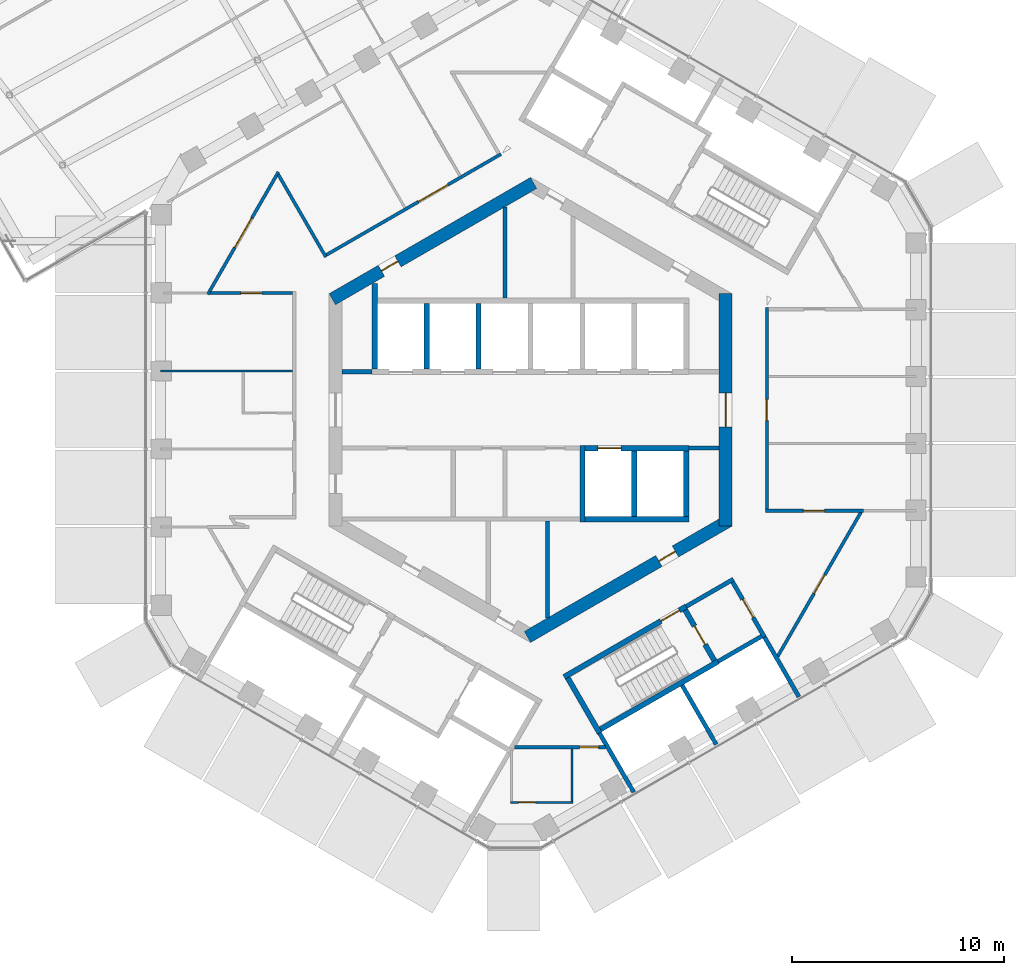
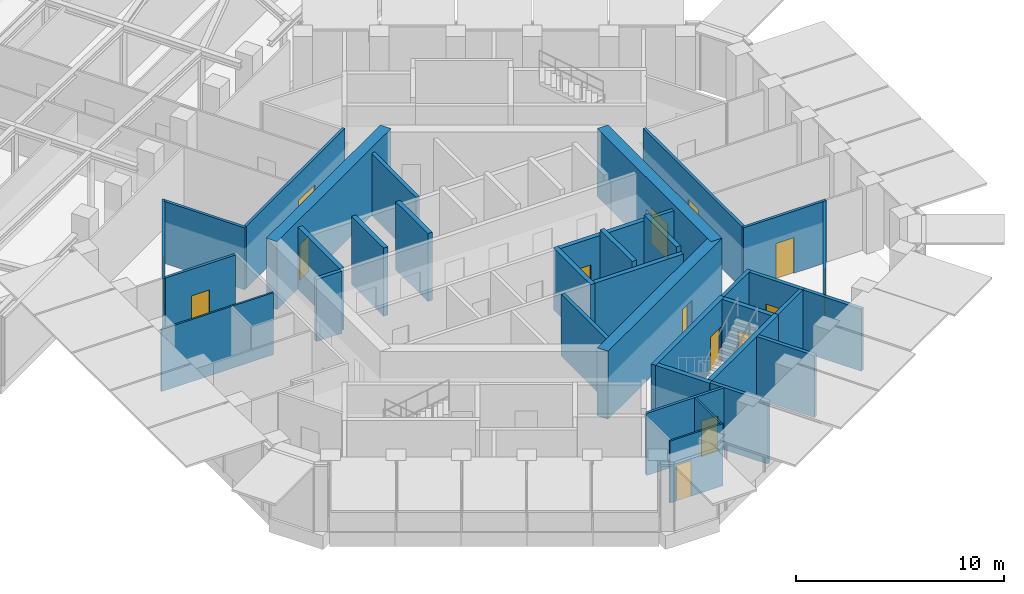
# One storey, part 20 of 27: 36 walls, 15 doors, 15 openings.
"""IFC4 building model written with IfcOpenShell, lengths in metres."""

from ifc_helpers import new_model, si_unit, direction, frame, frame_2d, origin, place, context, subcontext, project, spatial, rectangle, extrude, material, layer, layer_set, type_object, element, fill, save


model = new_model("IFC4")

# Units and contexts
model_context = context("Model", 3, precision=1e-05, world=origin(), true_north=direction((0.0, 1.0)))
body_context = subcontext(model_context, "Body", "Model", "MODEL_VIEW")
ifc_project = project(units=[si_unit("LENGTHUNIT", "METRE"), si_unit("AREAUNIT", "SQUARE_METRE"), si_unit("VOLUMEUNIT", "CUBIC_METRE"), si_unit("PLANEANGLEUNIT", "RADIAN"), si_unit("MASSUNIT", "GRAM", prefix="KILO")], contexts=[model_context])

# Site, building, storey
site_placement = place(None, origin())
site = spatial("IfcSite", under=ifc_project, at=site_placement, CompositionType="ELEMENT")
building_placement = place(site_placement, origin())
building = spatial("IfcBuilding", under=site, at=building_placement, Name="Ayvan Gate Tower", CompositionType="ELEMENT")
storey_placement = place(building_placement, frame((0.0, 0.0, 194.699951171875)))
storey = spatial("IfcBuildingStorey", under=building, at=storey_placement, Name="L52", CompositionType="ELEMENT", Elevation=194.699951171875)

# Wall, opening, door
ifc_material_1 = material(Name="Concrete C60/75", Category="concrete")
ifc_layer_1 = layer(ifc_material_1, 0.60009765625)
ifc_layer_set_1 = layer_set([ifc_layer_1], Name="Concrete C60/75")
wall_type_1 = type_object("IfcWallType", Name="Core wall 600 C60/75", PredefinedType="SHEAR", material=ifc_layer_set_1)
wall_1_placement = place(storey_placement, frame((9.199951171875, -5.48486328125, 0.0), z_axis=(0.0, 0.0, 1.0), x_axis=(0.0, 1.0, 0.0)))
wall_1 = element("IfcWall", 1, at=wall_1_placement, inside=storey, type_object=wall_type_1, Name="CORE-L52-0", PredefinedType="SHEAR", context=body_context, shape_type="SweptSolid", body=[
    extrude(rectangle(XDim=10.9697265625, YDim=0.60009765625, at=frame_2d((5.48486328125, 0.0))), origin(), (0.0, 0.0, 1.0), 4.0),
])
opening_1_placement = place(wall_1_placement, frame((4.684814453125, 0.0, 0.0)))
opening_1 = element("IfcOpeningElement", 2, at=opening_1_placement, cuts=wall_1, Name="Opening L52-D51", PredefinedType="OPENING", context=body_context, shape_type="SweptSolid", body=[
    extrude(rectangle(XDim=1.60009765625, YDim=2.10009765625, at=frame_2d((0.800048828125, 1.050048828125))), frame((0.0, 0.31005859375, 0.0), z_axis=(0.0, -1.0, 0.0), x_axis=(1.0, 0.0, 0.0)), (0.0, 0.0, 1.0), 0.6201171875),
])
ifc_material_2 = material(Name="Timber door leaf", Category="wood")
door_type_1 = type_object("IfcDoorType", Name="DT-1600", OperationType="NOTDEFINED", PredefinedType="DOOR", material=ifc_material_2)
door_1_placement = place(opening_1_placement, origin())
door_1 = element("IfcDoor", 3, at=door_1_placement, inside=storey, type_object=door_type_1, Name="CD-L52-51", OperationType="SINGLE_SWING_LEFT", OverallHeight=2.10009765625, OverallWidth=1.60009765625, PredefinedType="DOOR", context=body_context, shape_type="SweptSolid", body=[
    extrude(rectangle(XDim=1.60009765625, YDim=2.10009765625, at=frame_2d((0.800048828125, 1.050048828125))), frame((0.0, 0.02490234375, 0.0), z_axis=(0.0, -1.0, 0.0), x_axis=(1.0, 0.0, 0.0)), (0.0, 0.0, 1.0), 0.050048828125),
])
fill(opening_1, door_1)

wall_2_placement = place(storey_placement, frame((0.14990234375, 10.7099609375, 0.0), z_axis=(0.0, 0.0, 1.0), x_axis=(-0.866023993627, -0.500002442456, 0.0)))
wall_2 = element("IfcWall", 4, at=wall_2_placement, inside=storey, type_object=wall_type_1, Name="CORE-L52-2", PredefinedType="SHEAR", context=body_context, shape_type="SweptSolid", body=[
    extrude(rectangle(XDim=10.9697265625, YDim=0.60009765625, at=frame_2d((5.48486328125, 0.0))), origin(), (0.0, 0.0, 1.0), 4.0),
])
opening_2_placement = place(wall_2_placement, frame((7.396728515625, 0.0, 0.0)))
opening_2 = element("IfcOpeningElement", 5, at=opening_2_placement, cuts=wall_2, Name="Opening L52-D44", PredefinedType="OPENING", context=body_context, shape_type="SweptSolid", body=[
    extrude(rectangle(XDim=0.89990234375, YDim=2.10009765625, at=frame_2d((0.449951171875, 1.050048828125))), frame((0.0, 0.31005859375, 0.0), z_axis=(0.0, -1.0, 0.0), x_axis=(1.0, 0.0, 0.0)), (0.0, 0.0, 1.0), 0.6201171875),
])
door_type_2 = type_object("IfcDoorType", Name="DT-900", OperationType="NOTDEFINED", PredefinedType="DOOR", material=ifc_material_2)
door_2_placement = place(opening_2_placement, origin())
door_2 = element("IfcDoor", 6, at=door_2_placement, inside=storey, type_object=door_type_2, Name="CD-L52-44", OperationType="SINGLE_SWING_RIGHT", OverallHeight=2.10009765625, OverallWidth=0.89990234375, PredefinedType="DOOR", context=body_context, shape_type="SweptSolid", body=[
    extrude(rectangle(XDim=0.89990234375, YDim=2.10009765625, at=frame_2d((0.449951171875, 1.050048828125))), frame((0.0, 0.02490234375, 0.0), z_axis=(0.0, -1.0, 0.0), x_axis=(1.0, 0.0, 0.0)), (0.0, 0.0, 1.0), 0.050048828125),
])
fill(opening_2, door_2)

wall_3_placement = place(storey_placement, frame((-0.14990234375, -10.7099609375, 0.0), z_axis=(0.0, 0.0, 1.0), x_axis=(0.866023993627, 0.500002442456, 0.0)))
wall_3 = element("IfcWall", 7, at=wall_3_placement, inside=storey, type_object=wall_type_1, Name="CORE-L52-5", PredefinedType="SHEAR", context=body_context, shape_type="SweptSolid", body=[
    extrude(rectangle(XDim=10.9697265625, YDim=0.60009765625, at=frame_2d((5.48486328125, 0.0))), origin(), (0.0, 0.0, 1.0), 4.0),
])
opening_3_placement = place(wall_3_placement, frame((7.165771484375, 0.0, 0.0)))
opening_3 = element("IfcOpeningElement", 8, at=opening_3_placement, cuts=wall_3, Name="Opening L52-D49", PredefinedType="OPENING", context=body_context, shape_type="SweptSolid", body=[
    extrude(rectangle(XDim=0.89990234375, YDim=2.10009765625, at=frame_2d((0.449951171875, 1.050048828125))), frame((0.0, 0.31005859375, 0.0), z_axis=(0.0, -1.0, 0.0), x_axis=(1.0, 0.0, 0.0)), (0.0, 0.0, 1.0), 0.6201171875),
])
door_3_placement = place(opening_3_placement, origin())
door_3 = element("IfcDoor", 9, at=door_3_placement, inside=storey, type_object=door_type_2, Name="CD-L52-49", OperationType="SINGLE_SWING_LEFT", OverallHeight=2.10009765625, OverallWidth=0.89990234375, PredefinedType="DOOR", context=body_context, shape_type="SweptSolid", body=[
    extrude(rectangle(XDim=0.89990234375, YDim=2.10009765625, at=frame_2d((0.449951171875, 1.050048828125))), frame((0.0, 0.02490234375, 0.0), z_axis=(0.0, -1.0, 0.0), x_axis=(1.0, 0.0, 0.0)), (0.0, 0.0, 1.0), 0.050048828125),
])
fill(opening_3, door_3)

ifc_material_3 = material(Name="Plasterboard on steel stud", Category="steel")
ifc_layer_2 = layer(ifc_material_3, 0.14990234375)
ifc_layer_set_2 = layer_set([ifc_layer_2], Name="Plasterboard on steel stud")
wall_type_2 = type_object("IfcWallType", Name="WT-CORR-150", PredefinedType="PARTITIONING", material=ifc_layer_set_2)
wall_4_placement = place(storey_placement, frame((-15.227783203125, 5.44970703125, 0.0), z_axis=(0.0, 0.0, 1.0), x_axis=(0.499982336103, 0.8660356018, 0.0)))
wall_4 = element("IfcWall", 10, at=wall_4_placement, inside=storey, type_object=wall_type_2, Name="IW-L52-004", PredefinedType="PARTITIONING", context=body_context, shape_type="SweptSolid", body=[
    extrude(rectangle(XDim=6.668212890625, YDim=0.14990234375, at=frame_2d((3.333984375, 0.0))), origin(), (0.0, 0.0, 1.0), 3.650146484375),
])
opening_4_placement = place(wall_4_placement, frame((2.551513671875, 0.0, 0.0)))
opening_4 = element("IfcOpeningElement", 11, at=opening_4_placement, cuts=wall_4, Name="Opening L52-D41", PredefinedType="OPENING", context=body_context, shape_type="SweptSolid", body=[
    extrude(rectangle(XDim=1.60009765625, YDim=2.10009765625, at=frame_2d((0.800048828125, 1.050048828125))), frame((0.0, 0.0849609375, 0.0), z_axis=(0.0, -1.0, 0.0), x_axis=(1.0, 0.0, 0.0)), (0.0, 0.0, 1.0), 0.169921875),
])
door_4_placement = place(opening_4_placement, origin())
door_4 = element("IfcDoor", 12, at=door_4_placement, inside=storey, type_object=door_type_1, Name="ID-L52-041", OperationType="SINGLE_SWING_LEFT", OverallHeight=2.10009765625, OverallWidth=1.60009765625, PredefinedType="DOOR", context=body_context, shape_type="SweptSolid", body=[
    extrude(rectangle(XDim=1.60009765625, YDim=2.10009765625, at=frame_2d((0.800048828125, 1.050048828125))), frame((0.0, 0.02490234375, 0.0), z_axis=(0.0, -1.0, 0.0), x_axis=(1.0, 0.0, 0.0)), (0.0, 0.0, 1.0), 0.050048828125),
])
fill(opening_4, door_4)

# Wall
wall_5_placement = place(storey_placement, frame((-11.893798828125, 11.0947265625, 0.0), z_axis=(0.0, 0.0, 1.0), x_axis=(0.500030632641, -0.866007717299, 0.0)))
element("IfcWall", 13, at=wall_5_placement, inside=storey, type_object=wall_type_2, Name="IW-L52-019", PredefinedType="PARTITIONING", context=body_context, shape_type="SweptSolid", body=[
    extrude(rectangle(XDim=4.480224609375, YDim=0.14990234375, at=frame_2d((2.240234375, 0.0))), origin(), (0.0, 0.0, 1.0), 3.650146484375),
])

# Wall, opening, door
wall_6_placement = place(storey_placement, frame((-11.22509765625, 5.5146484375, 0.0), z_axis=(0.0, 0.0, 1.0), x_axis=(-1.0, 0.0, 0.0)))
wall_6 = element("IfcWall", 14, at=wall_6_placement, inside=storey, type_object=wall_type_2, Name="IW-L52-023", PredefinedType="PARTITIONING", context=body_context, shape_type="SweptSolid", body=[
    extrude(rectangle(XDim=3.890380859375, YDim=0.14990234375, at=frame_2d((1.9453125, 0.0))), origin(), (0.0, 0.0, 1.0), 3.650146484375),
])
opening_5_placement = place(wall_6_placement, frame((1.4453125, 0.0, 0.0)))
opening_5 = element("IfcOpeningElement", 15, at=opening_5_placement, cuts=wall_6, Name="Opening L52-D26", PredefinedType="OPENING", context=body_context, shape_type="SweptSolid", body=[
    extrude(rectangle(XDim=1.0, YDim=2.10009765625, at=frame_2d((0.5, 1.050048828125))), frame((0.0, 0.0849609375, 0.0), z_axis=(0.0, -1.0, 0.0), x_axis=(1.0, 0.0, 0.0)), (0.0, 0.0, 1.0), 0.169921875),
])
door_type_3 = type_object("IfcDoorType", Name="DT-1000", OperationType="NOTDEFINED", PredefinedType="DOOR", material=ifc_material_2)
door_5_placement = place(opening_5_placement, origin())
door_5 = element("IfcDoor", 16, at=door_5_placement, inside=storey, type_object=door_type_3, Name="ID-L52-026", OperationType="SINGLE_SWING_RIGHT", OverallHeight=2.10009765625, OverallWidth=1.0, PredefinedType="DOOR", context=body_context, shape_type="SweptSolid", body=[
    extrude(rectangle(XDim=1.0, YDim=2.10009765625, at=frame_2d((0.5, 1.050048828125))), frame((0.0, 0.02490234375, 0.0), z_axis=(0.0, -1.0, 0.0), x_axis=(1.0, 0.0, 0.0)), (0.0, 0.0, 1.0), 0.050048828125),
])
fill(opening_5, door_5)

wall_7_placement = place(storey_placement, frame((-9.626220703125, 7.3173828125, 0.0), z_axis=(0.0, 0.0, 1.0), x_axis=(0.866032896488, 0.499987022033, 0.0)))
wall_7 = element("IfcWall", 17, at=wall_7_placement, inside=storey, type_object=wall_type_2, Name="IW-L52-026", PredefinedType="PARTITIONING", context=body_context, shape_type="SweptSolid", body=[
    extrude(rectangle(XDim=9.505615234375, YDim=0.14990234375, at=frame_2d((4.7529296875, 0.0))), origin(), (0.0, 0.0, 1.0), 3.650146484375),
])
opening_6_placement = place(wall_7_placement, frame((5.014892578125, 0.0, 0.0)))
opening_6 = element("IfcOpeningElement", 18, at=opening_6_placement, cuts=wall_7, Name="Opening L52-D34", PredefinedType="OPENING", context=body_context, shape_type="SweptSolid", body=[
    extrude(rectangle(XDim=1.60009765625, YDim=2.10009765625, at=frame_2d((0.800048828125, 1.050048828125))), frame((0.0, 0.0849609375, 0.0), z_axis=(0.0, -1.0, 0.0), x_axis=(1.0, 0.0, 0.0)), (0.0, 0.0, 1.0), 0.169921875),
])
door_6_placement = place(opening_6_placement, origin())
door_6 = element("IfcDoor", 19, at=door_6_placement, inside=storey, type_object=door_type_1, Name="ID-L52-034", OperationType="SINGLE_SWING_RIGHT", OverallHeight=2.10009765625, OverallWidth=1.60009765625, PredefinedType="DOOR", context=body_context, shape_type="SweptSolid", body=[
    extrude(rectangle(XDim=1.60009765625, YDim=2.10009765625, at=frame_2d((0.800048828125, 1.050048828125))), frame((0.0, 0.02490234375, 0.0), z_axis=(0.0, -1.0, 0.0), x_axis=(1.0, 0.0, 0.0)), (0.0, 0.0, 1.0), 0.050048828125),
])
fill(opening_6, door_6)

wall_8_placement = place(storey_placement, frame((-0.748291015625, -15.91259765625, 0.0), z_axis=(0.0, 0.0, 1.0), x_axis=(1.0, 0.0, 0.0)))
wall_8 = element("IfcWall", 20, at=wall_8_placement, inside=storey, type_object=wall_type_2, Name="IW-L52-065", PredefinedType="PARTITIONING", context=body_context, shape_type="SweptSolid", body=[
    extrude(rectangle(XDim=4.29296875, YDim=0.14990234375, at=frame_2d((2.146484375, 0.0))), origin(), (0.0, 0.0, 1.0), 3.650146484375),
])
opening_7_placement = place(wall_8_placement, frame((3.066650390625, 0.0, 0.0)))
opening_7 = element("IfcOpeningElement", 21, at=opening_7_placement, cuts=wall_8, Name="Opening L52-D31", PredefinedType="OPENING", context=body_context, shape_type="SweptSolid", body=[
    extrude(rectangle(XDim=0.89990234375, YDim=2.10009765625, at=frame_2d((0.449951171875, 1.050048828125))), frame((0.0, 0.0849609375, 0.0), z_axis=(0.0, -1.0, 0.0), x_axis=(1.0, 0.0, 0.0)), (0.0, 0.0, 1.0), 0.169921875),
])
door_7_placement = place(opening_7_placement, origin())
door_7 = element("IfcDoor", 22, at=door_7_placement, inside=storey, type_object=door_type_2, Name="ID-L52-031", OperationType="SINGLE_SWING_LEFT", OverallHeight=2.10009765625, OverallWidth=0.89990234375, PredefinedType="DOOR", context=body_context, shape_type="SweptSolid", body=[
    extrude(rectangle(XDim=0.89990234375, YDim=2.10009765625, at=frame_2d((0.449951171875, 1.050048828125))), frame((0.0, 0.02490234375, 0.0), z_axis=(0.0, -1.0, 0.0), x_axis=(1.0, 0.0, 0.0)), (0.0, 0.0, 1.0), 0.050048828125),
])
fill(opening_7, door_7)

wall_9_placement = place(storey_placement, frame((11.074951171875, -4.7529296875, 0.0), z_axis=(0.0, 0.0, 1.0), x_axis=(1.0, 0.0, 0.0)))
wall_9 = element("IfcWall", 23, at=wall_9_placement, inside=storey, type_object=wall_type_2, Name="IW-L52-096", PredefinedType="PARTITIONING", context=body_context, shape_type="SweptSolid", body=[
    extrude(rectangle(XDim=4.63037109375, YDim=0.14990234375, at=frame_2d((2.315185546875, 0.0))), origin(), (0.0, 0.0, 1.0), 3.650146484375),
])
opening_8_placement = place(wall_9_placement, frame((1.7978515625, 0.0, 0.0)))
opening_8 = element("IfcOpeningElement", 24, at=opening_8_placement, cuts=wall_9, Name="Opening L52-D22", PredefinedType="OPENING", context=body_context, shape_type="SweptSolid", body=[
    extrude(rectangle(XDim=1.0, YDim=2.10009765625, at=frame_2d((0.5, 1.050048828125))), frame((0.0, 0.0849609375, 0.0), z_axis=(0.0, -1.0, 0.0), x_axis=(1.0, 0.0, 0.0)), (0.0, 0.0, 1.0), 0.169921875),
])
door_8_placement = place(opening_8_placement, origin())
door_8 = element("IfcDoor", 25, at=door_8_placement, inside=storey, type_object=door_type_3, Name="ID-L52-022", OperationType="SINGLE_SWING_RIGHT", OverallHeight=2.10009765625, OverallWidth=1.0, PredefinedType="DOOR", context=body_context, shape_type="SweptSolid", body=[
    extrude(rectangle(XDim=1.0, YDim=2.10009765625, at=frame_2d((0.5, 1.050048828125))), frame((0.0, 0.02490234375, 0.0), z_axis=(0.0, -1.0, 0.0), x_axis=(1.0, 0.0, 0.0)), (0.0, 0.0, 1.0), 0.050048828125),
])
fill(opening_8, door_8)

wall_10_placement = place(storey_placement, frame((11.14990234375, -4.677978515625, 0.0), z_axis=(0.0, 0.0, 1.0), x_axis=(0.0, 1.0, 0.0)))
wall_10 = element("IfcWall", 26, at=wall_10_placement, inside=storey, type_object=wall_type_2, Name="IW-L52-098", PredefinedType="PARTITIONING", context=body_context, shape_type="SweptSolid", body=[
    extrude(rectangle(XDim=9.505859375, YDim=0.14990234375, at=frame_2d((4.7529296875, 0.0))), origin(), (0.0, 0.0, 1.0), 3.650146484375),
])
opening_9_placement = place(wall_10_placement, frame((4.177978515625, 0.0, 0.0)))
opening_9 = element("IfcOpeningElement", 27, at=opening_9_placement, cuts=wall_10, Name="Opening L52-D23", PredefinedType="OPENING", context=body_context, shape_type="SweptSolid", body=[
    extrude(rectangle(XDim=1.0, YDim=2.10009765625, at=frame_2d((0.5, 1.050048828125))), frame((0.0, 0.0849609375, 0.0), z_axis=(0.0, -1.0, 0.0), x_axis=(1.0, 0.0, 0.0)), (0.0, 0.0, 1.0), 0.169921875),
])
door_9_placement = place(opening_9_placement, origin())
door_9 = element("IfcDoor", 28, at=door_9_placement, inside=storey, type_object=door_type_3, Name="ID-L52-023", OperationType="SINGLE_SWING_LEFT", OverallHeight=2.10009765625, OverallWidth=1.0, PredefinedType="DOOR", context=body_context, shape_type="SweptSolid", body=[
    extrude(rectangle(XDim=1.0, YDim=2.10009765625, at=frame_2d((0.5, 1.050048828125))), frame((0.0, 0.02490234375, 0.0), z_axis=(0.0, -1.0, 0.0), x_axis=(1.0, 0.0, 0.0)), (0.0, 0.0, 1.0), 0.050048828125),
])
fill(opening_9, door_9)

wall_11_placement = place(storey_placement, frame((15.5927734375, -4.81787109375, 0.0), z_axis=(0.0, 0.0, 1.0), x_axis=(-0.500000242082, -0.866025264018, 0.0)))
wall_11 = element("IfcWall", 29, at=wall_11_placement, inside=storey, type_object=wall_type_2, Name="IW-L52-106", PredefinedType="PARTITIONING", context=body_context, shape_type="SweptSolid", body=[
    extrude(rectangle(XDim=7.861328125, YDim=0.14990234375, at=frame_2d((3.9306640625, 0.0))), origin(), (0.0, 0.0, 1.0), 3.650146484375),
])
opening_10_placement = place(wall_11_placement, frame((3.4306640625, 0.0, 0.0)))
opening_10 = element("IfcOpeningElement", 30, at=opening_10_placement, cuts=wall_11, Name="Opening L52-D33", PredefinedType="OPENING", context=body_context, shape_type="SweptSolid", body=[
    extrude(rectangle(XDim=1.0, YDim=2.10009765625, at=frame_2d((0.5, 1.050048828125))), frame((0.0, 0.0849609375, 0.0), z_axis=(0.0, -1.0, 0.0), x_axis=(1.0, 0.0, 0.0)), (0.0, 0.0, 1.0), 0.169921875),
])
door_10_placement = place(opening_10_placement, origin())
door_10 = element("IfcDoor", 31, at=door_10_placement, inside=storey, type_object=door_type_3, Name="ID-L52-033", OperationType="SINGLE_SWING_LEFT", OverallHeight=2.10009765625, OverallWidth=1.0, PredefinedType="DOOR", context=body_context, shape_type="SweptSolid", body=[
    extrude(rectangle(XDim=1.0, YDim=2.10009765625, at=frame_2d((0.5, 1.050048828125))), frame((0.0, 0.02490234375, 0.0), z_axis=(0.0, -1.0, 0.0), x_axis=(1.0, 0.0, 0.0)), (0.0, 0.0, 1.0), 0.050048828125),
])
fill(opening_10, door_10)

# Wall
ifc_layer_3 = layer(ifc_material_3, 0.10009765625)
ifc_layer_set_3 = layer_set([ifc_layer_3], Name="Plasterboard on steel stud")
wall_type_3 = type_object("IfcWallType", Name="WT-PART-100", PredefinedType="PARTITIONING", material=ifc_layer_set_3)
wall_12_placement = place(storey_placement, frame((-17.453369140625, 1.838134765625, 0.0), z_axis=(0.0, 0.0, 1.0), x_axis=(1.0, 0.0, 0.0)))
element("IfcWall", 32, at=wall_12_placement, inside=storey, type_object=wall_type_3, Name="IW-L52-014", PredefinedType="PARTITIONING", context=body_context, shape_type="SweptSolid", body=[
    extrude(rectangle(XDim=6.228271484375, YDim=0.10009765625, at=frame_2d((3.1142578125, 0.0))), origin(), (0.0, 0.0, 1.0), 3.650146484375),
])

# Wall, opening, door
wall_13_placement = place(storey_placement, frame((-0.940673828125, -18.5126953125, 0.0), z_axis=(0.0, 0.0, 1.0), x_axis=(1.0, 0.0, 0.0)))
wall_13 = element("IfcWall", 33, at=wall_13_placement, inside=storey, type_object=wall_type_3, Name="IW-L52-054", PredefinedType="PARTITIONING", context=body_context, shape_type="SweptSolid", body=[
    extrude(rectangle(XDim=2.95263671875, YDim=0.10009765625, at=frame_2d((1.476318359375, 0.0))), origin(), (0.0, 0.0, 1.0), 3.650146484375),
])
opening_11_placement = place(wall_13_placement, frame((0.376220703125, 0.0, 0.0)))
opening_11 = element("IfcOpeningElement", 34, at=opening_11_placement, cuts=wall_13, Name="Opening L52-D32", PredefinedType="OPENING", context=body_context, shape_type="SweptSolid", body=[
    extrude(rectangle(XDim=0.800048828125, YDim=2.10009765625, at=frame_2d((0.39990234375, 1.050048828125))), frame((0.0, 0.06005859375, 0.0), z_axis=(0.0, -1.0, 0.0), x_axis=(1.0, 0.0, 0.0)), (0.0, 0.0, 1.0), 0.1201171875),
])
door_type_4 = type_object("IfcDoorType", Name="DT-800", OperationType="NOTDEFINED", PredefinedType="DOOR", material=ifc_material_2)
door_11_placement = place(opening_11_placement, origin())
door_11 = element("IfcDoor", 35, at=door_11_placement, inside=storey, type_object=door_type_4, Name="ID-L52-032", OperationType="SINGLE_SWING_RIGHT", OverallHeight=2.10009765625, OverallWidth=0.800048828125, PredefinedType="DOOR", context=body_context, shape_type="SweptSolid", body=[
    extrude(rectangle(XDim=0.800048828125, YDim=2.10009765625, at=frame_2d((0.39990234375, 1.050048828125))), frame((0.0, 0.02490234375, 0.0), z_axis=(0.0, -1.0, 0.0), x_axis=(1.0, 0.0, 0.0)), (0.0, 0.0, 1.0), 0.050048828125),
])
fill(opening_11, door_11)

# Walls
wall_14_placement = place(storey_placement, frame((1.9619140625, -18.462646484375, 0.0), z_axis=(0.0, 0.0, 1.0), x_axis=(0.0, 1.0, 0.0)))
element("IfcWall", 36, at=wall_14_placement, inside=storey, type_object=wall_type_3, Name="IW-L52-064", PredefinedType="PARTITIONING", context=body_context, shape_type="SweptSolid", body=[
    extrude(rectangle(XDim=2.47509765625, YDim=0.10009765625, at=frame_2d((1.237548828125, 0.0))), origin(), (0.0, 0.0, 1.0), 3.650146484375),
])
ifc_layer_4 = layer(ifc_material_3, 0.199951171875)
ifc_layer_set_4 = layer_set([ifc_layer_4], Name="Plasterboard on steel stud")
wall_type_4 = type_object("IfcWallType", Name="WT-PLUMB-200", PredefinedType="PLUMBINGWALL", material=ifc_layer_set_4)
for number, where, z_axis, x_axis, name in (
    (37, (3.255615234375, -15.23876953125, 0.0), (0.0, 0.0, 1.0), (0.500015196914, -0.866016629664, 0.0), "IW-L52-073"),
    (38, (7.152587890625, -12.98876953125, 0.0), (0.0, 0.0, 1.0), (0.500015196914, -0.866016629664, 0.0), "IW-L52-082"),
):
    element("IfcWall", number, at=place(storey_placement, frame(where, z_axis=z_axis, x_axis=x_axis)), inside=storey, type_object=wall_type_4, Name=name, PredefinedType="PLUMBINGWALL", context=body_context, shape_type="SweptSolid", body=[
        extrude(rectangle(XDim=3.224609375, YDim=0.199951171875, at=frame_2d((1.6123046875, 0.0))), origin(), (0.0, 0.0, 1.0), 3.650146484375),
    ])
wall_15_placement = place(storey_placement, frame((10.900634765625, -10.6806640625, 0.0), z_axis=(0.0, 0.0, 1.0), x_axis=(-0.866007538022, -0.500030943131, 0.0)))
element("IfcWall", 39, at=wall_15_placement, inside=storey, type_object=wall_type_4, Name="IW-L52-094", PredefinedType="PLUMBINGWALL", context=body_context, shape_type="SweptSolid", body=[
    extrude(rectangle(XDim=2.374755859375, YDim=0.199951171875, at=frame_2d((1.1875, 0.0))), origin(), (0.0, 0.0, 1.0), 3.650146484375),
])
wall_16_placement = place(storey_placement, frame((11.037353515625, -10.71728515625, 0.0), z_axis=(0.0, 0.0, 1.0), x_axis=(0.500025966412, -0.86601041155, 0.0)))
element("IfcWall", 40, at=wall_16_placement, inside=storey, type_object=wall_type_4, Name="IW-L52-095", PredefinedType="PLUMBINGWALL", context=body_context, shape_type="SweptSolid", body=[
    extrude(rectangle(XDim=3.249267578125, YDim=0.199951171875, at=frame_2d((1.62451171875, 0.0))), origin(), (0.0, 0.0, 1.0), 3.650146484375),
])
ifc_layer_5 = layer(ifc_material_3, 0.199951171875)
ifc_layer_set_5 = layer_set([ifc_layer_5], Name="Plasterboard on steel stud")
wall_type_5 = type_object("IfcWallType", Name="WT-RATED-200", PredefinedType="PARTITIONING", material=ifc_layer_set_5)
wall_17_placement = place(storey_placement, frame((-8.89990234375, 1.800048828125, 0.0), z_axis=(0.0, 0.0, 1.0), x_axis=(1.0, 0.0, 0.0)))
element("IfcWall", 41, at=wall_17_placement, inside=storey, type_object=wall_type_5, Name="IW-L52-027", PredefinedType="PARTITIONING", context=body_context, shape_type="SweptSolid", body=[
    extrude(rectangle(XDim=1.425048828125, YDim=0.199951171875, at=frame_2d((0.71240234375, 0.0))), origin(), (0.0, 0.0, 1.0), 3.650146484375),
])
wall_18_placement = place(storey_placement, frame((-1.199951171875, 9.583984375, 0.0), z_axis=(0.0, 0.0, 1.0), x_axis=(0.0, -1.0, 0.0)))
element("IfcWall", 42, at=wall_18_placement, inside=storey, type_object=wall_type_5, Name="IW-L52-051", PredefinedType="PARTITIONING", context=body_context, shape_type="SweptSolid", body=[
    extrude(rectangle(XDim=4.30908203125, YDim=0.199951171875, at=frame_2d((2.154541015625, 0.0))), origin(), (0.0, 0.0, 1.0), 3.650146484375),
])
wall_19_placement = place(storey_placement, frame((0.800048828125, -5.25, 0.0), z_axis=(0.0, 0.0, 1.0), x_axis=(0.0, -1.0, 0.0)))
element("IfcWall", 43, at=wall_19_placement, inside=storey, type_object=wall_type_5, Name="IW-L52-060", PredefinedType="PARTITIONING", context=body_context, shape_type="SweptSolid", body=[
    extrude(rectangle(XDim=4.56494140625, YDim=0.199951171875, at=frame_2d((2.282470703125, 0.0))), origin(), (0.0, 0.0, 1.0), 3.650146484375),
])
wall_20_placement = place(storey_placement, frame((7.343994140625, -9.27001953125, 0.0), z_axis=(0.0, 0.0, 1.0), x_axis=(0.866005588531, 0.500034319456, 0.0)))
element("IfcWall", 44, at=wall_20_placement, inside=storey, type_object=wall_type_5, Name="IW-L52-085", PredefinedType="PARTITIONING", context=body_context, shape_type="SweptSolid", body=[
    extrude(rectangle(XDim=2.574951171875, YDim=0.199951171875, at=frame_2d((1.28759765625, 0.0))), origin(), (0.0, 0.0, 1.0), 3.650146484375),
])
wall_21_placement = place(storey_placement, frame((8.89990234375, -1.800048828125, 0.0), z_axis=(0.0, 0.0, 1.0), x_axis=(-1.0, 0.0, 0.0)))
element("IfcWall", 45, at=wall_21_placement, inside=storey, type_object=wall_type_5, Name="IW-L52-092", PredefinedType="PARTITIONING", context=body_context, shape_type="SweptSolid", body=[
    extrude(rectangle(XDim=1.425048828125, YDim=0.199951171875, at=frame_2d((0.71240234375, 0.0))), origin(), (0.0, 0.0, 1.0), 3.650146484375),
])

# Wall, opening, door
wall_22_placement = place(storey_placement, frame((9.537353515625, -8.119140625, 0.0), z_axis=(0.0, 0.0, 1.0), x_axis=(0.499990139034, -0.866031096941, 0.0)))
wall_22 = element("IfcWall", 46, at=wall_22_placement, inside=storey, type_object=wall_type_5, Name="IW-L52-093", PredefinedType="PARTITIONING", context=body_context, shape_type="SweptSolid", body=[
    extrude(rectangle(XDim=3.0, YDim=0.199951171875, at=frame_2d((1.5, 0.0))), origin(), (0.0, 0.0, 1.0), 3.650146484375),
])
opening_12_placement = place(wall_22_placement, frame((0.93505859375, 0.0, 0.0)))
opening_12 = element("IfcOpeningElement", 47, at=opening_12_placement, cuts=wall_22, Name="Opening L52-D20", PredefinedType="OPENING", context=body_context, shape_type="SweptSolid", body=[
    extrude(rectangle(XDim=1.0, YDim=2.10009765625, at=frame_2d((0.5, 1.050048828125))), frame((0.0, 0.10986328125, 0.0), z_axis=(0.0, -1.0, 0.0), x_axis=(1.0, 0.0, 0.0)), (0.0, 0.0, 1.0), 0.219970703125),
])
door_12_placement = place(opening_12_placement, origin())
door_12 = element("IfcDoor", 48, at=door_12_placement, inside=storey, type_object=door_type_3, Name="ID-L52-020", OperationType="SINGLE_SWING_RIGHT", OverallHeight=2.10009765625, OverallWidth=1.0, PredefinedType="DOOR", context=body_context, shape_type="SweptSolid", body=[
    extrude(rectangle(XDim=1.0, YDim=2.10009765625, at=frame_2d((0.5, 1.050048828125))), frame((0.0, 0.02490234375, 0.0), z_axis=(0.0, -1.0, 0.0), x_axis=(1.0, 0.0, 0.0)), (0.0, 0.0, 1.0), 0.050048828125),
])
fill(opening_12, door_12)

# Walls
ifc_material_4 = material(Name="Concrete C50/60", Category="concrete")
ifc_layer_6 = layer(ifc_material_4, 0.25)
ifc_layer_set_6 = layer_set([ifc_layer_6], Name="Concrete C50/60")
wall_type_6 = type_object("IfcWallType", Name="WT-RC-250", PredefinedType="SHEAR", material=ifc_layer_set_6)
wall_23_placement = place(storey_placement, frame((-7.35009765625, 1.925048828125, 0.0), z_axis=(0.0, 0.0, 1.0), x_axis=(0.0, 1.0, 0.0)))
element("IfcWall", 49, at=wall_23_placement, inside=storey, type_object=wall_type_6, Name="IW-L52-035", PredefinedType="SHEAR", context=body_context, shape_type="SweptSolid", body=[
    extrude(rectangle(XDim=4.0361328125, YDim=0.25, at=frame_2d((2.01806640625, 0.0))), origin(), (0.0, 0.0, 1.0), 3.650146484375),
])
for number, where, z_axis, x_axis, name in (
    (50, (-4.89990234375, 5.02490234375, 0.0), (0.0, 0.0, 1.0), (0.0, -1.0, 0.0), "IW-L52-040"),
    (51, (-2.449951171875, 5.02490234375, 0.0), (0.0, 0.0, 1.0), (0.0, -1.0, 0.0), "IW-L52-047"),
):
    element("IfcWall", number, at=place(storey_placement, frame(where, z_axis=z_axis, x_axis=x_axis)), inside=storey, type_object=wall_type_6, Name=name, PredefinedType="SHEAR", context=body_context, shape_type="SweptSolid", body=[
        extrude(rectangle(XDim=3.099853515625, YDim=0.25, at=frame_2d((1.5498046875, 0.0))), origin(), (0.0, 0.0, 1.0), 4.0),
    ])

# Wall, opening, door
wall_24_placement = place(storey_placement, frame((1.584716796875, -12.594970703125, 0.0), z_axis=(0.0, 0.0, 1.0), x_axis=(0.866036417653, 0.499980922934, 0.0)))
wall_24 = element("IfcWall", 52, at=wall_24_placement, inside=storey, type_object=wall_type_6, Name="IW-L52-063", PredefinedType="SHEAR", context=body_context, shape_type="SweptSolid", body=[
    extrude(rectangle(XDim=6.650146484375, YDim=0.25, at=frame_2d((3.3251953125, 0.0))), origin(), (0.0, 0.0, 1.0), 3.650146484375),
])
opening_13_placement = place(wall_24_placement, frame((5.27490234375, 0.0, 0.0)))
opening_13 = element("IfcOpeningElement", 53, at=opening_13_placement, cuts=wall_24, Name="Opening L52-D19", PredefinedType="OPENING", context=body_context, shape_type="SweptSolid", body=[
    extrude(rectangle(XDim=1.0, YDim=2.10009765625, at=frame_2d((0.5, 1.050048828125))), frame((0.0, 0.135009765625, 0.0), z_axis=(0.0, -1.0, 0.0), x_axis=(1.0, 0.0, 0.0)), (0.0, 0.0, 1.0), 0.27001953125),
])
door_13_placement = place(opening_13_placement, origin())
door_13 = element("IfcDoor", 54, at=door_13_placement, inside=storey, type_object=door_type_3, Name="ID-L52-019", OperationType="SINGLE_SWING_LEFT", OverallHeight=2.10009765625, OverallWidth=1.0, PredefinedType="DOOR", context=body_context, shape_type="SweptSolid", body=[
    extrude(rectangle(XDim=1.0, YDim=2.10009765625, at=frame_2d((0.5, 1.050048828125))), frame((0.0, 0.02490234375, 0.0), z_axis=(0.0, -1.0, 0.0), x_axis=(1.0, 0.0, 0.0)), (0.0, 0.0, 1.0), 0.050048828125),
])
fill(opening_13, door_13)

# Walls
wall_25_placement = place(storey_placement, frame((2.449951171875, -5.27490234375, 0.0), z_axis=(0.0, 0.0, 1.0), x_axis=(0.0, 1.0, 0.0)))
element("IfcWall", 55, at=wall_25_placement, inside=storey, type_object=wall_type_6, Name="IW-L52-067", PredefinedType="SHEAR", context=body_context, shape_type="SweptSolid", body=[
    extrude(rectangle(XDim=3.599853515625, YDim=0.25, at=frame_2d((1.7998046875, 0.0))), origin(), (0.0, 0.0, 1.0), 3.650146484375),
])
wall_26_placement = place(storey_placement, frame((3.255615234375, -15.23876953125, 0.0), z_axis=(0.0, 0.0, 1.0), x_axis=(-0.50002537861, 0.866010750942, 0.0)))
element("IfcWall", 56, at=wall_26_placement, inside=storey, type_object=wall_type_6, Name="IW-L52-071", PredefinedType="SHEAR", context=body_context, shape_type="SweptSolid", body=[
    extrude(rectangle(XDim=2.999755859375, YDim=0.25, at=frame_2d((1.5, 0.0))), origin(), (0.0, 0.0, 1.0), 3.650146484375),
])
wall_27_placement = place(storey_placement, frame((2.574951171875, -5.14990234375, 0.0), z_axis=(0.0, 0.0, 1.0), x_axis=(1.0, 0.0, 0.0)))
element("IfcWall", 57, at=wall_27_placement, inside=storey, type_object=wall_type_6, Name="IW-L52-076", PredefinedType="SHEAR", context=body_context, shape_type="SweptSolid", body=[
    extrude(rectangle(XDim=4.900146484375, YDim=0.25, at=frame_2d((2.4501953125, 0.0))), origin(), (0.0, 0.0, 1.0), 3.650146484375),
])
wall_28_placement = place(storey_placement, frame((4.89990234375, -1.925048828125, 0.0), z_axis=(0.0, 0.0, 1.0), x_axis=(0.0, -1.0, 0.0)))
element("IfcWall", 58, at=wall_28_placement, inside=storey, type_object=wall_type_6, Name="IW-L52-077", PredefinedType="SHEAR", context=body_context, shape_type="SweptSolid", body=[
    extrude(rectangle(XDim=3.099853515625, YDim=0.25, at=frame_2d((1.5498046875, 0.0))), origin(), (0.0, 0.0, 1.0), 4.0),
])

# Wall, opening, door
wall_29_placement = place(storey_placement, frame((2.574951171875, -1.800048828125, 0.0), z_axis=(0.0, 0.0, 1.0), x_axis=(1.0, 0.0, 0.0)))
wall_29 = element("IfcWall", 59, at=wall_29_placement, inside=storey, type_object=wall_type_6, Name="IW-L52-079", PredefinedType="SHEAR", context=body_context, shape_type="SweptSolid", body=[
    extrude(rectangle(XDim=4.900146484375, YDim=0.25, at=frame_2d((2.4501953125, 0.0))), origin(), (0.0, 0.0, 1.0), 3.650146484375),
])
opening_14_placement = place(wall_29_placement, frame((0.597412109375, 0.0, 0.0)))
opening_14 = element("IfcOpeningElement", 60, at=opening_14_placement, cuts=wall_29, Name="Opening L52-LD-SV", PredefinedType="OPENING", context=body_context, shape_type="SweptSolid", body=[
    extrude(rectangle(XDim=1.10009765625, YDim=2.10009765625, at=frame_2d((0.550048828125, 1.050048828125))), frame((0.0, 0.135009765625, 0.0), z_axis=(0.0, -1.0, 0.0), x_axis=(1.0, 0.0, 0.0)), (0.0, 0.0, 1.0), 0.27001953125),
])
ifc_material_5 = material(Name="Stainless steel landing door", Category="steel")
door_type_5 = type_object("IfcDoorType", Name="DT-LANDING-1100", OperationType="SLIDING_TO_LEFT", PredefinedType="DOOR", material=ifc_material_5)
door_14_placement = place(opening_14_placement, origin())
door_14 = element("IfcDoor", 61, at=door_14_placement, inside=storey, type_object=door_type_5, Name="ID-L52-007", OperationType="SLIDING_TO_LEFT", OverallHeight=2.10009765625, OverallWidth=1.10009765625, PredefinedType="DOOR", context=body_context, shape_type="SweptSolid", body=[
    extrude(rectangle(XDim=1.10009765625, YDim=2.10009765625, at=frame_2d((0.550048828125, 1.050048828125))), frame((0.0, 0.02490234375, 0.0), z_axis=(0.0, -1.0, 0.0), x_axis=(1.0, 0.0, 0.0)), (0.0, 0.0, 1.0), 0.050048828125),
])
fill(opening_14, door_14)

# Wall
wall_30_placement = place(storey_placement, frame((3.30126953125, -15.068115234375, 0.0), z_axis=(0.0, 0.0, 1.0), x_axis=(0.866035036182, 0.499983315828, 0.0)))
element("IfcWall", 62, at=wall_30_placement, inside=storey, type_object=wall_type_6, Name="IW-L52-083", PredefinedType="SHEAR", context=body_context, shape_type="SweptSolid", body=[
    extrude(rectangle(XDim=6.400146484375, YDim=0.25, at=frame_2d((3.2001953125, 0.0))), origin(), (0.0, 0.0, 1.0), 3.650146484375),
])

# Wall, opening, door
wall_31_placement = place(storey_placement, frame((7.298095703125, -9.44091796875, 0.0), z_axis=(0.0, 0.0, 1.0), x_axis=(0.500034990121, -0.866005201286, 0.0)))
wall_31 = element("IfcWall", 63, at=wall_31_placement, inside=storey, type_object=wall_type_6, Name="IW-L52-084", PredefinedType="SHEAR", context=body_context, shape_type="SweptSolid", body=[
    extrude(rectangle(XDim=2.749755859375, YDim=0.25, at=frame_2d((1.375, 0.0))), origin(), (0.0, 0.0, 1.0), 3.650146484375),
])
opening_15_placement = place(wall_31_placement, frame((0.875, 0.0, 0.0)))
opening_15 = element("IfcOpeningElement", 64, at=opening_15_placement, cuts=wall_31, Name="Opening L52-D21", PredefinedType="OPENING", context=body_context, shape_type="SweptSolid", body=[
    extrude(rectangle(XDim=1.0, YDim=2.10009765625, at=frame_2d((0.5, 1.050048828125))), frame((0.0, 0.135009765625, 0.0), z_axis=(0.0, -1.0, 0.0), x_axis=(1.0, 0.0, 0.0)), (0.0, 0.0, 1.0), 0.27001953125),
])
door_15_placement = place(opening_15_placement, origin())
door_15 = element("IfcDoor", 65, at=door_15_placement, inside=storey, type_object=door_type_3, Name="ID-L52-021", OperationType="SINGLE_SWING_LEFT", OverallHeight=2.10009765625, OverallWidth=1.0, PredefinedType="DOOR", context=body_context, shape_type="SweptSolid", body=[
    extrude(rectangle(XDim=1.0, YDim=2.10009765625, at=frame_2d((0.5, 1.050048828125))), frame((0.0, 0.02490234375, 0.0), z_axis=(0.0, -1.0, 0.0), x_axis=(1.0, 0.0, 0.0)), (0.0, 0.0, 1.0), 0.050048828125),
])
fill(opening_15, door_15)

# Wall
wall_32_placement = place(storey_placement, frame((7.35009765625, -1.925048828125, 0.0), z_axis=(0.0, 0.0, 1.0), x_axis=(0.0, -1.0, 0.0)))
element("IfcWall", 66, at=wall_32_placement, inside=storey, type_object=wall_type_6, Name="IW-L52-087", PredefinedType="SHEAR", context=body_context, shape_type="SweptSolid", body=[
    extrude(rectangle(XDim=3.099853515625, YDim=0.25, at=frame_2d((1.5498046875, 0.0))), origin(), (0.0, 0.0, 1.0), 4.0),
])

save(model, "model.ifc")
